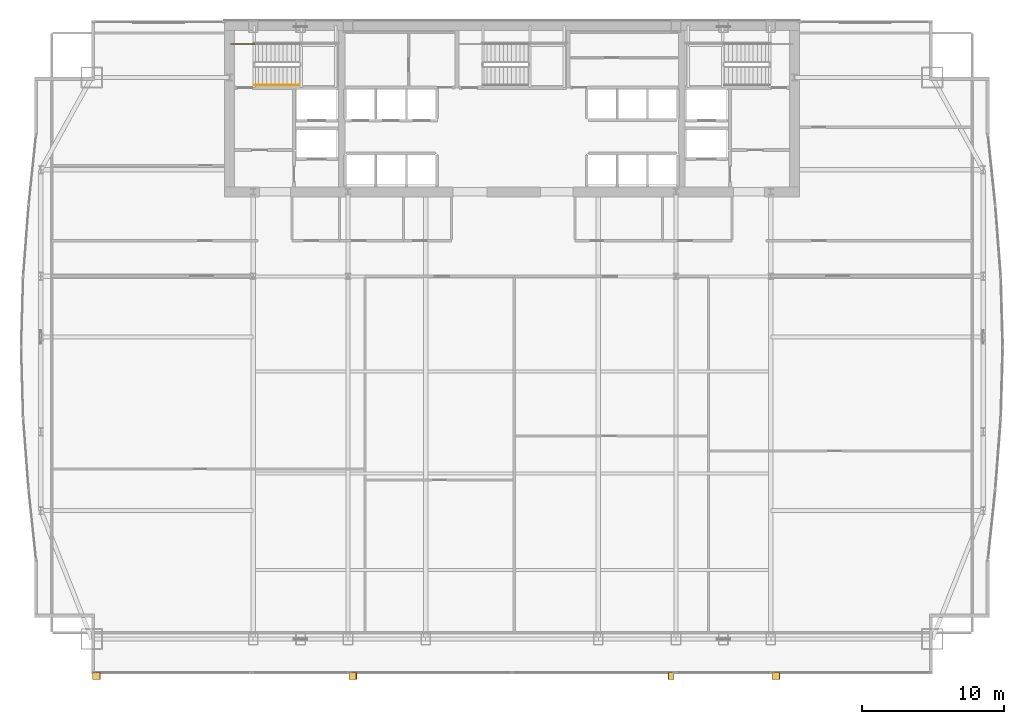
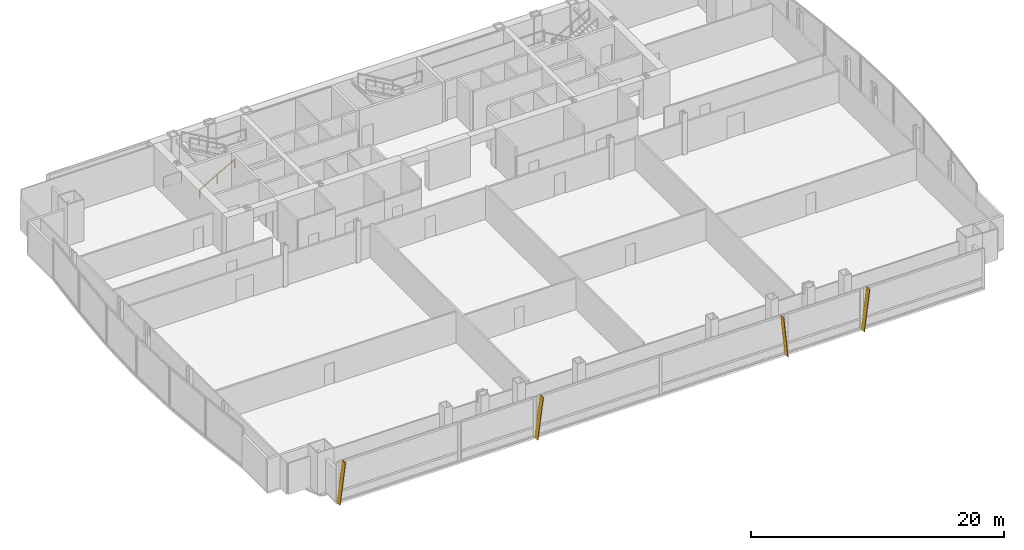
# One storey, part 29 of 30: 4 shading devices, 2 railings.
"""IFC4 building model written with IfcOpenShell, lengths in metres."""

import ifcopenshell
import ifcopenshell.guid

model = None  # the IFC model being written
_history = None  # IfcOwnerHistory: only IFC2X3 demands one
_inside = {}  # id of a spatial element -> (the spatial element, [elements in it])
_under = {}  # id of a project, library or spatial element -> (it, [spatial elements below it])
_declared = {}  # id of a project -> (the project, [libraries it declares])
_typed = {}  # id of a type object -> (the type object, [elements of that type])
_made_of = {}  # id of a material, layer set ... -> (it, [elements and type objects made of it])


def new_model(schema):
    """Start an empty IFC model of exactly this schema.

    Asked for "IFC4X3", IfcOpenShell would pick the latest addendum, in which some entities
    have other attributes; the version numbers below select the first issue.
    IFC2X3 requires an IfcOwnerHistory on every rooted entity: one is made here for all.
    """
    global model, _history
    if schema == "IFC4X3":
        model = ifcopenshell.file(schema_version=(4, 3, 0, 0))
    else:
        model = ifcopenshell.file(schema=schema)
    _inside.clear()
    _under.clear()
    _declared.clear()
    _typed.clear()
    _made_of.clear()
    _history = None
    if model.schema == "IFC2X3":
        org = make("IfcOrganization", Name="unknown")
        user = make(
            "IfcPersonAndOrganization",
            ThePerson=make("IfcPerson", FamilyName="unknown"),
            TheOrganization=org,
        )
        app = make(
            "IfcApplication",
            ApplicationDeveloper=org,
            Version="unknown",
            ApplicationFullName="unknown",
            ApplicationIdentifier="unknown",
        )
        _history = make(
            "IfcOwnerHistory",
            OwningUser=user,
            OwningApplication=app,
            ChangeAction="ADDED",
            CreationDate=0,
        )
    return model


def make(cls, **values):
    """One entity of the class cls with the attributes given. An attribute that is None is left unset."""
    return model.create_entity(
        cls, **{name: value for name, value in values.items() if value is not None}
    )


def rooted(cls, **values):
    """An entity with a GlobalId (a new one), such as an element, a storey or a relation."""
    return make(cls, GlobalId=ifcopenshell.guid.new(), OwnerHistory=_history, **values)


def si_unit(unit_type, name, prefix=None):
    """IfcSIUnit, for example si_unit("LENGTHUNIT", "METRE", prefix="MILLI")."""
    return make("IfcSIUnit", UnitType=unit_type, Prefix=prefix, Name=name)


def assignment(units):
    """IfcUnitAssignment: the units of a project."""
    return None if units is None else make("IfcUnitAssignment", Units=units)


def point(xyz):
    """IfcCartesianPoint."""
    return None if xyz is None else make("IfcCartesianPoint", Coordinates=xyz)


def direction(xyz):
    """IfcDirection."""
    return None if xyz is None else make("IfcDirection", DirectionRatios=xyz)


def frame(location, z_axis=None, x_axis=None):
    """IfcAxis2Placement3D, a coordinate frame: its origin and axes. An axis left out is left unset."""
    return make(
        "IfcAxis2Placement3D",
        Location=point(location),
        Axis=direction(z_axis),
        RefDirection=direction(x_axis),
    )


def frame_2d(location, x_axis=None):
    """IfcAxis2Placement2D, a coordinate frame in the plane: its origin and x axis."""
    return make(
        "IfcAxis2Placement2D", Location=point(location), RefDirection=direction(x_axis)
    )


def origin():
    """The frame at (0, 0, 0) with its axes left unset."""
    return frame((0.0, 0.0, 0.0))


def origin_2d():
    """The frame at (0, 0) in the plane with its x axis left unset."""
    return frame_2d((0.0, 0.0))


def place(relative_to, where):
    """IfcLocalPlacement: puts the frame where relative to a parent placement (None: the world)."""
    return make(
        "IfcLocalPlacement", PlacementRelTo=relative_to, RelativePlacement=where
    )


def context(
    kind, dimensions, precision=None, world=None, true_north=None, identifier=None
):
    """IfcGeometricRepresentationContext, for example the 3D "Model" context."""
    return make(
        "IfcGeometricRepresentationContext",
        ContextIdentifier=identifier,
        ContextType=kind,
        CoordinateSpaceDimension=dimensions,
        Precision=precision,
        WorldCoordinateSystem=world,
        TrueNorth=true_north,
    )


def subcontext(parent, identifier, kind, view, scale=None):
    """IfcGeometricRepresentationSubContext, for example "Body" below "Model"."""
    return make(
        "IfcGeometricRepresentationSubContext",
        ContextIdentifier=identifier,
        ContextType=kind,
        ParentContext=parent,
        TargetScale=scale,
        TargetView=view,
    )


def project(units=None, contexts=None):
    """IfcProject with its units and contexts."""
    return rooted(
        "IfcProject",
        Name="project",
        RepresentationContexts=contexts,
        UnitsInContext=assignment(units),
    )


def spatial(cls, under=None, at=None, **own):
    """A site, building, storey or space (cls), placed at a placement, below another one or the project."""
    s = rooted(cls, ObjectPlacement=at, **own)
    if under is not None:
        _under.setdefault(under.id(), (under, []))[1].append(s)
    return s


def polyline(points):
    """IfcPolyline through the points."""
    return make("IfcPolyline", Points=[point(p) for p in points])


def profile(cls, at=None, kind="AREA", **sizes):
    """A parametric profile (cls). Its sizes go by their IFC names, for example OverallWidth=200.0."""
    return make(cls, ProfileType=kind, Position=at, **sizes)


def rectangle(**sizes):
    """IfcRectangleProfileDef."""
    return profile("IfcRectangleProfileDef", **sizes)


def outline(outer, holes=None, kind="AREA"):
    """IfcArbitraryClosedProfileDef: a profile drawn as a closed curve; with holes, ...WithVoids."""
    if holes is None:
        return make("IfcArbitraryClosedProfileDef", ProfileType=kind, OuterCurve=outer)
    return make(
        "IfcArbitraryProfileDefWithVoids",
        ProfileType=kind,
        OuterCurve=outer,
        InnerCurves=holes,
    )


def extrude(swept, where, along, depth):
    """IfcExtrudedAreaSolid: the profile swept, set in the frame where, extruded along a direction by depth."""
    return make(
        "IfcExtrudedAreaSolid",
        SweptArea=swept,
        Position=where,
        ExtrudedDirection=direction(along),
        Depth=depth,
    )


def shape(context_of_items, identifier, shape_type, items):
    """IfcShapeRepresentation: the items that make up one representation, for example the "Body"."""
    return make(
        "IfcShapeRepresentation",
        ContextOfItems=context_of_items,
        RepresentationIdentifier=identifier,
        RepresentationType=shape_type,
        Items=items,
    )


def material(Name=None, Category=None):
    """IfcMaterial."""
    return make("IfcMaterial", Name=Name, Category=Category)


def layer(
    of_material, thickness, ventilated=None, Name=None, Category=None, Priority=None
):
    """IfcMaterialLayer: one layer of a wall or slab, of a material (None: an air gap)."""
    return make(
        "IfcMaterialLayer",
        Material=of_material,
        LayerThickness=thickness,
        IsVentilated=ventilated,
        Name=Name,
        Category=Category,
        Priority=Priority,
    )


def layer_set(layers, Name=None):
    """IfcMaterialLayerSet."""
    return make("IfcMaterialLayerSet", MaterialLayers=layers, LayerSetName=Name)


def made_of(thing, what):
    """Note that an element or type object is made of a material, layer set ...; save() writes the relation."""
    if what is not None:
        _made_of.setdefault(what.id(), (what, []))[1].append(thing)
    return thing


def type_object(cls, material=None, **own):
    """A type object (cls), such as IfcWallType, which elements share."""
    return made_of(rooted(cls, **own), material)


def element(
    cls,
    number,
    at=None,
    inside=None,
    cuts=None,
    type_object=None,
    material=None,
    context=None,
    identifier="Body",
    shape_type=None,
    held_by="IfcProductDefinitionShape",
    body=None,
    shapes=None,
    **own,
):
    """One element of the class cls, such as IfcWall. Its Tag is "e" and its number.

    at: its placement. inside: the storey or other place that contains it. cuts: it is an
    opening in that element (IfcRelVoidsElement). A single representation is given by context,
    identifier, shape_type and body (its items); several are given by shapes. held_by: the class
    of the entity that holds the representations. save() writes the other relations.
    """
    e = rooted(cls, Tag="e%d" % number, ObjectPlacement=at, **own)
    if body is not None:
        shapes = [shape(context, identifier, shape_type, body)]
    if shapes is not None:
        e.Representation = make(held_by, Representations=shapes)
    if inside is not None:
        _inside.setdefault(inside.id(), (inside, []))[1].append(e)
    if cuts is not None:
        rooted(
            "IfcRelVoidsElement", RelatingBuildingElement=cuts, RelatedOpeningElement=e
        )
    if type_object is not None:
        _typed.setdefault(type_object.id(), (type_object, []))[1].append(e)
    return made_of(e, material)


def aggregate(whole, parts):
    """IfcRelAggregates: a whole, such as a stair, and the parts it consists of."""
    return rooted("IfcRelAggregates", RelatingObject=whole, RelatedObjects=parts)


def save(model, path):
    """Write the relations noted so far, then the file.

    IfcRelAggregates (storeys below a building ...), IfcRelContainedInSpatialStructure (elements
    in a storey), IfcRelDefinesByType, IfcRelAssociatesMaterial and IfcRelDeclares: one each for
    every whole, place, type object, material and project.
    """
    for whole, parts in _under.values():
        aggregate(whole, parts)
    for where, things in _inside.values():
        rooted(
            "IfcRelContainedInSpatialStructure",
            RelatedElements=things,
            RelatingStructure=where,
        )
    for kind, things in _typed.values():
        rooted("IfcRelDefinesByType", RelatedObjects=things, RelatingType=kind)
    for what, things in _made_of.values():
        rooted("IfcRelAssociatesMaterial", RelatedObjects=things, RelatingMaterial=what)
    for by, libraries in _declared.values():
        rooted("IfcRelDeclares", RelatingContext=by, RelatedDefinitions=libraries)
    model.write(path)


model = new_model("IFC4")

# Units and contexts
model_context = context("Model", 3, precision=1e-05, world=origin(), true_north=direction((0.0, 1.0)))
body_context = subcontext(model_context, "Body", "Model", "MODEL_VIEW")
ifc_project = project(units=[si_unit("LENGTHUNIT", "METRE"), si_unit("AREAUNIT", "SQUARE_METRE"), si_unit("VOLUMEUNIT", "CUBIC_METRE"), si_unit("PLANEANGLEUNIT", "RADIAN"), si_unit("MASSUNIT", "GRAM", prefix="KILO")], contexts=[model_context])

# Site, building, storey
site_placement = place(None, origin())
site = spatial("IfcSite", under=ifc_project, at=site_placement, CompositionType="ELEMENT")
building_placement = place(site_placement, origin())
building = spatial("IfcBuilding", under=site, at=building_placement, Name="Khoronbel Lancet Exchange", CompositionType="ELEMENT")
storey_placement = place(building_placement, frame((0.0, 0.0, 90.60009765625)))
storey = spatial("IfcBuildingStorey", under=building, at=storey_placement, Name="L21", CompositionType="ELEMENT", Elevation=90.60009765625)

# Railings
ifc_material_1 = material(Name="Painted Steel Balustrade", Category="steel")
railing_type_1 = type_object("IfcRailingType", Name="RL-STG110", PredefinedType="GUARDRAIL", material=ifc_material_1)
railing_1_placement = place(storey_placement, frame((16.64990234375, 52.050048828125, 0.0)))
element("IfcRailing", 1, at=railing_1_placement, inside=storey, type_object=railing_type_1, Name="L21 ST1 stair guard 6", PredefinedType="GUARDRAIL", context=body_context, shape_type="SweptSolid", body=[
    extrude(rectangle(XDim=0.048095703125, YDim=0.048095703125, at=origin_2d()), frame((0.0, 0.0, 1.09619140625), z_axis=(1.0, 0.0, 0.0), x_axis=(0.0, 1.0, 0.0)), (0.0, 0.0, 1.0), 1.650146484375),
    extrude(rectangle(XDim=0.02392578125, YDim=0.02392578125, at=origin_2d()), frame((0.0, 0.0, 0.080078125), z_axis=(1.0, 0.0, 0.0), x_axis=(0.0, 1.0, 0.0)), (0.0, 0.0, 1.0), 1.650146484375),
    extrude(rectangle(XDim=0.0419921875, YDim=0.0419921875, at=origin_2d()), origin(), (0.0, 0.0, 1.0), 1.072021484375),
    extrude(rectangle(XDim=0.0419921875, YDim=0.0419921875, at=origin_2d()), frame((1.650146484375, 0.0, 0.0)), (0.0, 0.0, 1.0), 1.072021484375),
])
ifc_material_2 = material(Name="Brushed Stainless Steel 316", Category="steel")
railing_type_2 = type_object("IfcRailingType", Name="RL-STH92", PredefinedType="HANDRAIL", material=ifc_material_2)
railing_2_placement = place(storey_placement, frame((18.300048828125, 49.169921875, 0.16650390625)))
element("IfcRailing", 2, at=railing_2_placement, inside=storey, type_object=railing_type_2, Name="L21 ST1 stair handrail 1", PredefinedType="HANDRAIL", context=body_context, shape_type="SweptSolid", body=[
    extrude(rectangle(XDim=0.048095703125, YDim=0.048095703125, at=origin_2d()), frame((0.0, 0.0, 0.8759765625), z_axis=(0.86699087805, 0.0, 0.498324008431), x_axis=(0.0, 1.0, 0.0)), (0.0, 0.0, 1.0), 3.679443359375),
    extrude(rectangle(XDim=0.0419921875, YDim=0.0419921875, at=origin_2d()), origin(), (0.0, 0.0, 1.0), 0.851806640625),
    extrude(rectangle(XDim=0.0419921875, YDim=0.0419921875, at=origin_2d()), frame((1.594970703125, 0.0, 0.916748046875)), (0.0, 0.0, 1.0), 0.851806640625),
    extrude(rectangle(XDim=0.0419921875, YDim=0.0419921875, at=origin_2d()), frame((3.18994140625, 0.0, 1.83349609375)), (0.0, 0.0, 1.0), 0.851806640625),
])

# Shading devices
ifc_material_3 = material(Name="Bronze-Anodised Aluminium 6063-T6", Category="aluminium")
ifc_layer = layer(ifc_material_3, 0.054931640625, Name="Bronze-Anodised Aluminium 6063-T6")
ifc_layer_set = layer_set([ifc_layer], Name="Bronze-Anodised Aluminium 6063-T6")
shading_device_type = type_object("IfcShadingDeviceType", Name="SHD-FIN1", PredefinedType="USERDEFINED", material=ifc_layer_set)
for number, where, z_axis, x_axis, name in (
    (3, (6.91259765625, 7.81005859375, -0.080078125), (-0.991889216598, 0.0, 0.127105397195), (0.0, -1.0, 0.0), "Slanted bronze solar fin CW-L21-SWV-0"),
    (4, (24.972412109375, 7.81005859375, -0.080078125), (-0.991881465906, 0.0, 0.127165866462), (0.0, -1.0, 0.0), "Slanted bronze solar fin CW-L21-SCV-0"),
):
    element("IfcShadingDevice", number, at=place(storey_placement, frame(where, z_axis=z_axis, x_axis=x_axis)), inside=storey, type_object=shading_device_type, Name=name, ObjectType="FIN", PredefinedType="USERDEFINED", context=body_context, shape_type="SweptSolid", body=[
        extrude(outline(polyline([(0.0, 0.0), (0.52001953125, 0.0), (0.52001953125, 3.97216796875), (0.0, 3.97216796875), (0.0, 0.0)])), origin(), (0.0, 0.0, -1.0), 0.054931640625),
    ])
shading_device_1_placement = place(storey_placement, frame((47.87255859375, 7.81005859375, -0.080078125), z_axis=(0.995011517869, 0.0, 0.099760108806), x_axis=(0.0, -1.0, 0.0)))
element("IfcShadingDevice", 5, at=shading_device_1_placement, inside=storey, type_object=shading_device_type, Name="Slanted bronze solar fin CW-L21-SCV-2", ObjectType="FIN", PredefinedType="USERDEFINED", context=body_context, shape_type="SweptSolid", body=[
    extrude(outline(polyline([(0.0, 0.0), (0.52001953125, 0.0), (0.52001953125, -3.959716796875), (0.0, -3.959716796875), (0.0, 0.0)])), origin(), (0.0, 0.0, -1.0), 0.054931640625),
])
shading_device_2_placement = place(storey_placement, frame((54.7724609375, 7.81005859375, -0.080078125), z_axis=(-0.991881465906, 0.0, 0.127165866462), x_axis=(0.0, -1.0, 0.0)))
element("IfcShadingDevice", 6, at=shading_device_2_placement, inside=storey, type_object=shading_device_type, Name="Slanted bronze solar fin CW-L21-SEV-0", ObjectType="FIN", PredefinedType="USERDEFINED", context=body_context, shape_type="SweptSolid", body=[
    extrude(outline(polyline([(0.0, 0.0), (0.52001953125, 0.0), (0.52001953125, 3.97216796875), (0.0, 3.97216796875), (0.0, 0.0)])), origin(), (0.0, 0.0, -1.0), 0.054931640625),
])

save(model, "model.ifc")
